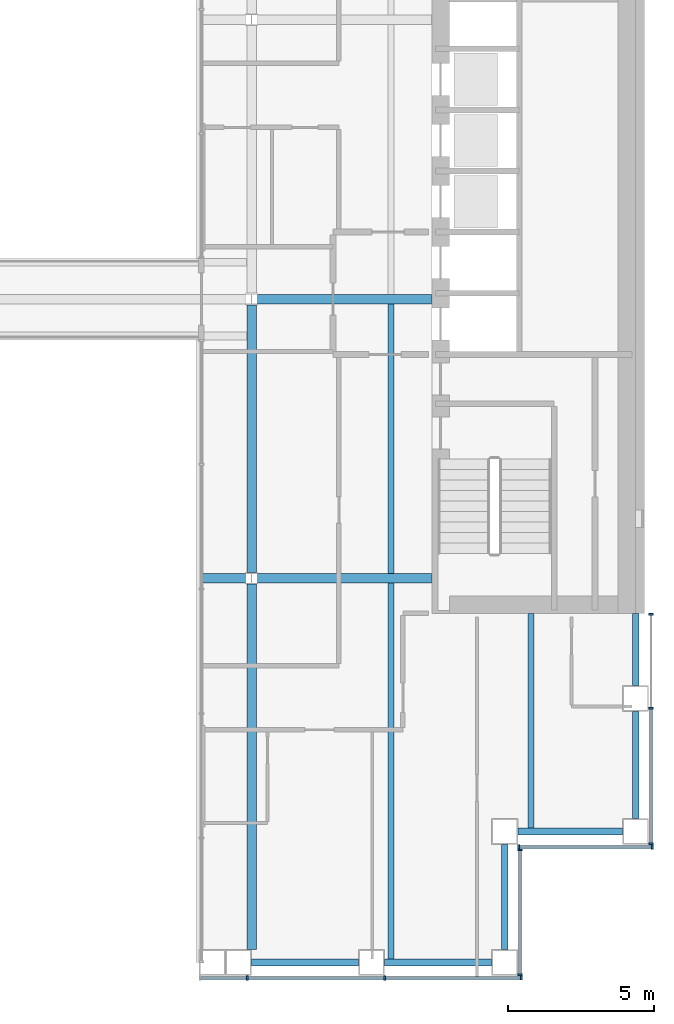
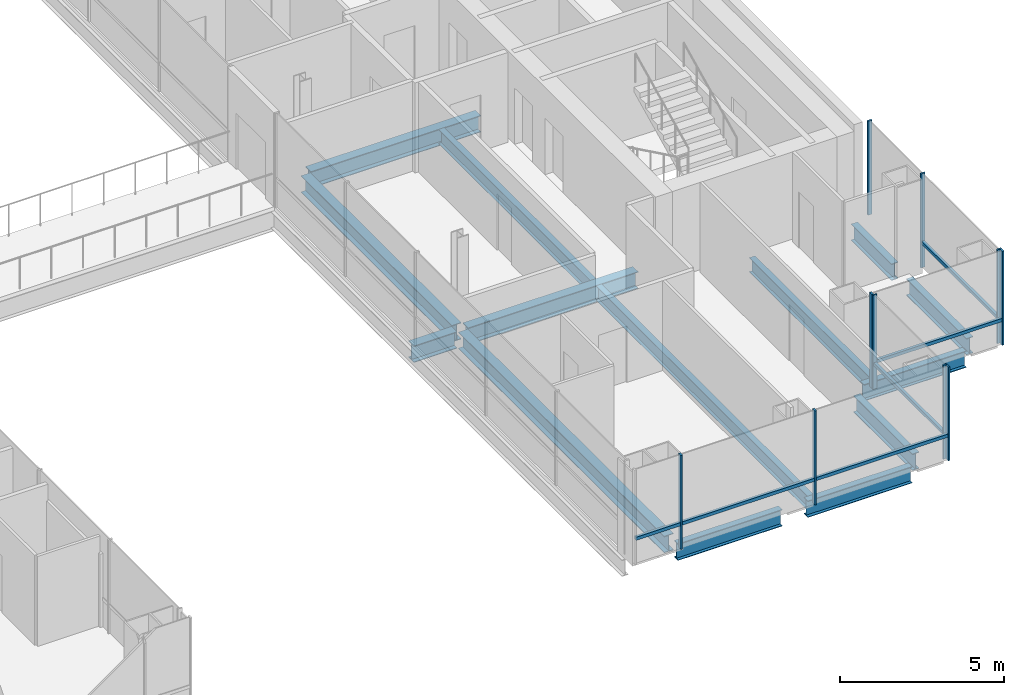
# One storey, part 5 of 16: 16 members, 14 beams, 4 elements without a shape of their own.
"""IFC4 building model written with IfcOpenShell, lengths in metres."""

from ifc_helpers import new_model, si_unit, direction, frame, origin, origin_2d, place, context, subcontext, project, spatial, rectangle, i_section, extrude, material, material_profile, profile_set, type_object, element, aggregate, save


model = new_model("IFC4")

# Units and contexts
model_context = context("Model", 3, precision=1e-05, world=origin(), true_north=direction((0.0, 1.0)))
body_context = subcontext(model_context, "Body", "Model", "MODEL_VIEW")
ifc_project = project(units=[si_unit("LENGTHUNIT", "METRE"), si_unit("AREAUNIT", "SQUARE_METRE"), si_unit("VOLUMEUNIT", "CUBIC_METRE"), si_unit("PLANEANGLEUNIT", "RADIAN"), si_unit("MASSUNIT", "GRAM", prefix="KILO")], contexts=[model_context])

# Site, building, storey
site_placement = place(None, origin())
site = spatial("IfcSite", under=ifc_project, at=site_placement, CompositionType="ELEMENT")
building_placement = place(site_placement, origin())
building = spatial("IfcBuilding", under=site, at=building_placement, Name="Cobrizo Arcos Hotel Tower", CompositionType="ELEMENT")
storey_placement = place(building_placement, frame((0.0, 0.0, 120.5)))
storey = spatial("IfcBuildingStorey", under=building, at=storey_placement, Name="L30", CompositionType="ELEMENT", Elevation=120.5)

# Curtain wall, members
ifc_material_1 = material(Name="Aluminium 6063-T6 anodised bronze", Category="aluminium")
curtain_wall_type = type_object("IfcCurtainWallType", Name="CW-A guest facade", PredefinedType="NOTDEFINED", material=ifc_material_1)
curtain_wall_1_placement = place(storey_placement, origin())
curtain_wall_1 = element("IfcCurtainWall", 1, at=curtain_wall_1_placement, inside=storey, type_object=curtain_wall_type, Name="CW-A L30 S face", PredefinedType="NOTDEFINED")
ifc_material_profile_1 = material_profile(ifc_material_1, rectangle(XDim=0.14990234375, YDim=0.06005859375, at=origin_2d()), Name="CW-A mullion 150x60")
ifc_profile_set_1 = profile_set([ifc_material_profile_1], Name="Aluminium 6063-T6 anodised bronze")
member_type_1 = type_object("IfcMemberType", Name="CW-A mullion 150x60", PredefinedType="MULLION", material=ifc_profile_set_1)
member_1_placement = place(storey_placement, frame((9.449951171875, -23.324951171875, 0.0), z_axis=(0.0, 0.0, 1.0), x_axis=(0.0, -1.0, 0.0)))
member_1 = element("IfcMember", 2, at=member_1_placement, type_object=member_type_1, Name="CW-A mullion 2", PredefinedType="MULLION", context=body_context, shape_type="SweptSolid", body=[
    extrude(rectangle(XDim=0.14990234375, YDim=0.06005859375, at=origin_2d()), origin(), (0.0, 0.0, 1.0), 3.5),
])
member_2_placement = place(storey_placement, frame((14.175048828125, -23.324951171875, 0.0), z_axis=(0.0, 0.0, 1.0), x_axis=(0.0, -1.0, 0.0)))
member_2 = element("IfcMember", 3, at=member_2_placement, type_object=member_type_1, Name="CW-A mullion 3", PredefinedType="MULLION", context=body_context, shape_type="SweptSolid", body=[
    extrude(rectangle(XDim=0.14990234375, YDim=0.06005859375, at=origin_2d()), origin(), (0.0, 0.0, 1.0), 3.5),
])
member_3_placement = place(storey_placement, frame((18.8701171875, -23.324951171875, 0.0), z_axis=(0.0, 0.0, 1.0), x_axis=(0.0, -1.0, 0.0)))
member_3 = element("IfcMember", 4, at=member_3_placement, type_object=member_type_1, Name="CW-A mullion 4", PredefinedType="MULLION", context=body_context, shape_type="SweptSolid", body=[
    extrude(rectangle(XDim=0.14990234375, YDim=0.06005859375, at=origin_2d()), origin(), (0.0, 0.0, 1.0), 3.5),
])

curtain_wall_2_placement = place(storey_placement, origin())
curtain_wall_2 = element("IfcCurtainWall", 5, at=curtain_wall_2_placement, inside=storey, type_object=curtain_wall_type, Name="CW-A L30 E face", PredefinedType="NOTDEFINED")
member_4_placement = place(storey_placement, frame((18.824951171875, -23.219970703125, 0.0), z_axis=(0.0, 0.0, 1.0), x_axis=(1.0, 0.0, 0.0)))
member_4 = element("IfcMember", 6, at=member_4_placement, type_object=member_type_1, Name="CW-A mullion 1", PredefinedType="MULLION", context=body_context, shape_type="SweptSolid", body=[
    extrude(rectangle(XDim=0.14990234375, YDim=0.06005859375, at=origin_2d()), origin(), (0.0, 0.0, 1.0), 3.5),
])
member_5_placement = place(storey_placement, frame((18.824951171875, -18.929931640625, 0.0), z_axis=(0.0, 0.0, 1.0), x_axis=(1.0, 0.0, 0.0)))
member_5 = element("IfcMember", 7, at=member_5_placement, type_object=member_type_1, Name="CW-A mullion 2", PredefinedType="MULLION", context=body_context, shape_type="SweptSolid", body=[
    extrude(rectangle(XDim=0.14990234375, YDim=0.06005859375, at=origin_2d()), origin(), (0.0, 0.0, 1.0), 3.5),
])

curtain_wall_3_placement = place(storey_placement, origin())
curtain_wall_3 = element("IfcCurtainWall", 8, at=curtain_wall_3_placement, inside=storey, type_object=curtain_wall_type, Name="CW-A L30 S face", PredefinedType="NOTDEFINED")
member_6_placement = place(storey_placement, frame((18.780029296875, -18.824951171875, 0.0), z_axis=(0.0, 0.0, 1.0), x_axis=(0.0, -1.0, 0.0)))
member_6 = element("IfcMember", 9, at=member_6_placement, type_object=member_type_1, Name="CW-A mullion 1", PredefinedType="MULLION", context=body_context, shape_type="SweptSolid", body=[
    extrude(rectangle(XDim=0.14990234375, YDim=0.06005859375, at=origin_2d()), origin(), (0.0, 0.0, 1.0), 3.5),
])
member_7_placement = place(storey_placement, frame((23.3701171875, -18.824951171875, 0.0), z_axis=(0.0, 0.0, 1.0), x_axis=(0.0, -1.0, 0.0)))
member_7 = element("IfcMember", 10, at=member_7_placement, type_object=member_type_1, Name="CW-A mullion 2", PredefinedType="MULLION", context=body_context, shape_type="SweptSolid", body=[
    extrude(rectangle(XDim=0.14990234375, YDim=0.06005859375, at=origin_2d()), origin(), (0.0, 0.0, 1.0), 3.5),
])

curtain_wall_4_placement = place(storey_placement, origin())
curtain_wall_4 = element("IfcCurtainWall", 11, at=curtain_wall_4_placement, inside=storey, type_object=curtain_wall_type, Name="CW-A L30 E face", PredefinedType="NOTDEFINED")
member_8_placement = place(storey_placement, frame((23.324951171875, -18.719970703125, 0.0), z_axis=(0.0, 0.0, 1.0), x_axis=(1.0, 0.0, 0.0)))
member_8 = element("IfcMember", 12, at=member_8_placement, type_object=member_type_1, Name="CW-A mullion 1", PredefinedType="MULLION", context=body_context, shape_type="SweptSolid", body=[
    extrude(rectangle(XDim=0.14990234375, YDim=0.06005859375, at=origin_2d()), origin(), (0.0, 0.0, 1.0), 3.5),
])
member_9_placement = place(storey_placement, frame((23.324951171875, -14.0625, 0.0), z_axis=(0.0, 0.0, 1.0), x_axis=(1.0, 0.0, 0.0)))
member_9 = element("IfcMember", 13, at=member_9_placement, type_object=member_type_1, Name="CW-A mullion 2", PredefinedType="MULLION", context=body_context, shape_type="SweptSolid", body=[
    extrude(rectangle(XDim=0.14990234375, YDim=0.06005859375, at=origin_2d()), origin(), (0.0, 0.0, 1.0), 3.5),
])
member_10_placement = place(storey_placement, frame((23.324951171875, -10.830078125, 0.0), z_axis=(0.0, 0.0, 1.0), x_axis=(1.0, 0.0, 0.0)))
member_10 = element("IfcMember", 14, at=member_10_placement, type_object=member_type_1, Name="CW-A mullion 3", PredefinedType="MULLION", context=body_context, shape_type="SweptSolid", body=[
    extrude(rectangle(XDim=0.14990234375, YDim=0.06005859375, at=origin_2d()), origin(), (0.0, 0.0, 1.0), 3.5),
])

# Member
ifc_material_profile_2 = material_profile(ifc_material_1, rectangle(XDim=0.10009765625, YDim=0.1201171875, at=origin_2d()), Name="CW-A transom 120x100")
ifc_profile_set_2 = profile_set([ifc_material_profile_2], Name="Aluminium 6063-T6 anodised bronze")
member_type_2 = type_object("IfcMemberType", Name="CW-A transom 120x100", PredefinedType="USERDEFINED", material=ifc_profile_set_2)
member_11_placement = place(storey_placement, frame((7.860107421875, -23.324951171875, 0.929931640625), z_axis=(1.0, 0.0, 0.0), x_axis=(0.0, 1.0, 0.0)))
member_11 = element("IfcMember", 15, at=member_11_placement, type_object=member_type_2, Name="CW-A transom 1138", ObjectType="TRANSOM", PredefinedType="USERDEFINED", context=body_context, shape_type="SweptSolid", body=[
    extrude(rectangle(XDim=0.10009765625, YDim=0.1201171875, at=origin_2d()), origin(), (0.0, 0.0, 1.0), 1.559814453125),
])

member_12_placement = place(storey_placement, frame((9.47998046875, -23.324951171875, 0.929931640625), z_axis=(1.0, 0.0, 0.0), x_axis=(0.0, 1.0, 0.0)))
member_12 = element("IfcMember", 16, at=member_12_placement, type_object=member_type_2, Name="CW-A transom 1139", ObjectType="TRANSOM", PredefinedType="USERDEFINED", context=body_context, shape_type="SweptSolid", body=[
    extrude(rectangle(XDim=0.10009765625, YDim=0.1201171875, at=origin_2d()), origin(), (0.0, 0.0, 1.0), 4.6650390625),
])

member_13_placement = place(storey_placement, frame((14.205078125, -23.324951171875, 0.929931640625), z_axis=(1.0, 0.0, 0.0), x_axis=(0.0, 1.0, 0.0)))
member_13 = element("IfcMember", 17, at=member_13_placement, type_object=member_type_2, Name="CW-A transom 1140", ObjectType="TRANSOM", PredefinedType="USERDEFINED", context=body_context, shape_type="SweptSolid", body=[
    extrude(rectangle(XDim=0.10009765625, YDim=0.1201171875, at=origin_2d()), origin(), (0.0, 0.0, 1.0), 4.635009765625),
])

aggregate(curtain_wall_1, [member_1, member_2, member_3, member_11, member_12, member_13])

member_14_placement = place(storey_placement, frame((18.824951171875, -23.18994140625, 0.929931640625), z_axis=(0.0, 1.0, 0.0), x_axis=(-1.0, 0.0, 0.0)))
member_14 = element("IfcMember", 18, at=member_14_placement, type_object=member_type_2, Name="CW-A transom 1141", ObjectType="TRANSOM", PredefinedType="USERDEFINED", context=body_context, shape_type="SweptSolid", body=[
    extrude(rectangle(XDim=0.10009765625, YDim=0.1201171875, at=origin_2d()), origin(), (0.0, 0.0, 1.0), 4.22998046875),
])

aggregate(curtain_wall_2, [member_4, member_5, member_14])

member_15_placement = place(storey_placement, frame((18.81005859375, -18.824951171875, 0.929931640625), z_axis=(1.0, 0.0, 0.0), x_axis=(0.0, 1.0, 0.0)))
member_15 = element("IfcMember", 19, at=member_15_placement, type_object=member_type_2, Name="CW-A transom 1142", ObjectType="TRANSOM", PredefinedType="USERDEFINED", context=body_context, shape_type="SweptSolid", body=[
    extrude(rectangle(XDim=0.10009765625, YDim=0.1201171875, at=origin_2d()), origin(), (0.0, 0.0, 1.0), 4.530029296875),
])

aggregate(curtain_wall_3, [member_6, member_7, member_15])

member_16_placement = place(storey_placement, frame((23.324951171875, -18.68994140625, 0.929931640625), z_axis=(0.0, 1.0, 0.0), x_axis=(-1.0, 0.0, 0.0)))
member_16 = element("IfcMember", 20, at=member_16_placement, type_object=member_type_2, Name="CW-A transom 1143", ObjectType="TRANSOM", PredefinedType="USERDEFINED", context=body_context, shape_type="SweptSolid", body=[
    extrude(rectangle(XDim=0.10009765625, YDim=0.1201171875, at=origin_2d()), origin(), (0.0, 0.0, 1.0), 4.597412109375),
])

aggregate(curtain_wall_4, [member_8, member_9, member_10, member_16])

# Beams
ifc_material_2 = material(Name="Steel ASTM A992 Grade 50", Category="steel")
ifc_material_profile_3 = material_profile(ifc_material_2, i_section(OverallWidth=0.209228515625, OverallDepth=0.533447265625, WebThickness=0.01025390625, FlangeThickness=0.015625, at=origin_2d()), Name="W21X62")
ifc_profile_set_3 = profile_set([ifc_material_profile_3], Name="Steel ASTM A992 Grade 50")
beam_type_1 = type_object("IfcBeamType", Name="W21X62 joist", PredefinedType="JOIST", material=ifc_profile_set_3)
beam_1_placement = place(storey_placement, frame((14.39990234375, -22.7099609375, -0.416748046875), z_axis=(0.0, 1.0, 0.0), x_axis=(-1.0, 0.0, 0.0)))
element("IfcBeam", 21, at=beam_1_placement, inside=storey, type_object=beam_type_1, Name="Floor joist J1, L30, no. 007", PredefinedType="JOIST", context=body_context, shape_type="SweptSolid", body=[
    extrude(i_section(OverallWidth=0.209228515625, OverallDepth=0.533447265625, WebThickness=0.01025390625, FlangeThickness=0.015625, at=origin_2d()), origin(), (0.0, 0.0, 1.0), 12.946044921875),
])
beam_2_placement = place(storey_placement, frame((14.39990234375, -9.43603515625, -0.416748046875), z_axis=(0.0, 1.0, 0.0), x_axis=(-1.0, 0.0, 0.0)))
element("IfcBeam", 22, at=beam_2_placement, inside=storey, type_object=beam_type_1, Name="Floor joist J1, L30, no. 008", PredefinedType="JOIST", context=body_context, shape_type="SweptSolid", body=[
    extrude(i_section(OverallWidth=0.209228515625, OverallDepth=0.533447265625, WebThickness=0.01025390625, FlangeThickness=0.015625, at=origin_2d()), origin(), (0.0, 0.0, 1.0), 9.272216796875),
])
beam_3_placement = place(storey_placement, frame((19.199951171875, -18.2099609375, -0.416748046875), z_axis=(0.0, 1.0, 0.0), x_axis=(-1.0, 0.0, 0.0)))
element("IfcBeam", 23, at=beam_3_placement, inside=storey, type_object=beam_type_1, Name="Floor joist J1, L30, no. 011", PredefinedType="JOIST", context=body_context, shape_type="SweptSolid", body=[
    extrude(i_section(OverallWidth=0.209228515625, OverallDepth=0.533447265625, WebThickness=0.01025390625, FlangeThickness=0.015625, at=origin_2d()), origin(), (0.0, 0.0, 1.0), 7.39990234375),
])
ifc_material_profile_4 = material_profile(ifc_material_2, i_section(OverallWidth=0.32763671875, OverallDepth=0.622314453125, WebThickness=0.015380859375, FlangeThickness=0.0244140625, at=origin_2d()), Name="W24X131")
ifc_profile_set_4 = profile_set([ifc_material_profile_4], Name="Steel ASTM A992 Grade 50")
beam_type_2 = type_object("IfcBeamType", Name="W24X131 girder", PredefinedType="BEAM", material=ifc_profile_set_4)
beam_4_placement = place(storey_placement, frame((7.889892578125, -9.60009765625, -0.461181640625), z_axis=(1.0, 0.0, 0.0), x_axis=(0.0, 1.0, 0.0)))
element("IfcBeam", 24, at=beam_4_placement, inside=storey, type_object=beam_type_2, Name="Floor girder G1, L30, no. 003", PredefinedType="BEAM", context=body_context, shape_type="SweptSolid", body=[
    extrude(i_section(OverallWidth=0.32763671875, OverallDepth=0.622314453125, WebThickness=0.015380859375, FlangeThickness=0.0244140625, at=origin_2d()), origin(), (0.0, 0.0, 1.0), 1.5107421875),
])
for number, where, z_axis, x_axis, name in (
    (25, (9.79931640625, -9.60009765625, -0.461181640625), (1.0, 0.0, 0.0), (0.0, 1.0, 0.0), "Floor girder G1, L30, no. 004"),
    (26, (9.79931640625, 0.0, -0.461181640625), (1.0, 0.0, 0.0), (0.0, 1.0, 0.0), "Floor girder G1, L30, no. 007"),
):
    element("IfcBeam", number, at=place(storey_placement, frame(where, z_axis=z_axis, x_axis=x_axis)), inside=storey, type_object=beam_type_2, Name=name, PredefinedType="BEAM", context=body_context, shape_type="SweptSolid", body=[
        extrude(i_section(OverallWidth=0.32763671875, OverallDepth=0.622314453125, WebThickness=0.015380859375, FlangeThickness=0.0244140625, at=origin_2d()), origin(), (0.0, 0.0, 1.0), 5.99072265625),
    ])
beam_5_placement = place(storey_placement, frame((9.60009765625, -22.35009765625, -0.461181640625), z_axis=(0.0, 1.0, 0.0), x_axis=(-1.0, 0.0, 0.0)))
element("IfcBeam", 27, at=beam_5_placement, inside=storey, type_object=beam_type_2, Name="Floor girder G1, L30, no. 016", PredefinedType="BEAM", context=body_context, shape_type="SweptSolid", body=[
    extrude(i_section(OverallWidth=0.32763671875, OverallDepth=0.622314453125, WebThickness=0.015380859375, FlangeThickness=0.0244140625, at=origin_2d()), origin(), (0.0, 0.0, 1.0), 12.55078125),
])
beam_6_placement = place(storey_placement, frame((9.60009765625, -9.400634765625, -0.461181640625), z_axis=(0.0, 1.0, 0.0), x_axis=(-1.0, 0.0, 0.0)))
element("IfcBeam", 28, at=beam_6_placement, inside=storey, type_object=beam_type_2, Name="Floor girder G1, L30, no. 017", PredefinedType="BEAM", context=body_context, shape_type="SweptSolid", body=[
    extrude(i_section(OverallWidth=0.32763671875, OverallDepth=0.622314453125, WebThickness=0.015380859375, FlangeThickness=0.0244140625, at=origin_2d()), origin(), (0.0, 0.0, 1.0), 9.201171875),
])
ifc_material_profile_5 = material_profile(ifc_material_2, i_section(OverallWidth=0.23046875, OverallDepth=0.6171875, WebThickness=0.01318359375, FlangeThickness=0.022216796875, at=origin_2d()), Name="W24X94")
ifc_profile_set_5 = profile_set([ifc_material_profile_5], Name="Steel ASTM A992 Grade 50")
beam_type_3 = type_object("IfcBeamType", Name="W24X94 spandrel", PredefinedType="SPANDREL", material=ifc_profile_set_5)
beam_7_placement = place(storey_placement, frame((22.800048828125, -10.81005859375, -0.45849609375), z_axis=(0.0, -1.0, 0.0), x_axis=(1.0, 0.0, 0.0)))
element("IfcBeam", 29, at=beam_7_placement, inside=storey, type_object=beam_type_3, Name="Spandrel beam W24X94, L30, no. 004", PredefinedType="SPANDREL", context=body_context, shape_type="SweptSolid", body=[
    extrude(i_section(OverallWidth=0.23046875, OverallDepth=0.6171875, WebThickness=0.01318359375, FlangeThickness=0.022216796875, at=origin_2d()), origin(), (0.0, 0.0, 1.0), 2.46484375),
])
beam_8_placement = place(storey_placement, frame((22.800048828125, -14.175048828125, -0.45849609375), z_axis=(0.0, -1.0, 0.0), x_axis=(1.0, 0.0, 0.0)))
element("IfcBeam", 30, at=beam_8_placement, inside=storey, type_object=beam_type_3, Name="Spandrel beam W24X94, L30, no. 005", PredefinedType="SPANDREL", context=body_context, shape_type="SweptSolid", body=[
    extrude(i_section(OverallWidth=0.23046875, OverallDepth=0.6171875, WebThickness=0.01318359375, FlangeThickness=0.022216796875, at=origin_2d()), origin(), (0.0, 0.0, 1.0), 3.675048828125),
])
for number, where, z_axis, x_axis, name in (
    (31, (22.35009765625, -18.300048828125, -0.45849609375), (-1.0, 0.0, 0.0), (0.0, -1.0, 0.0), "Spandrel beam W24X94, L30, no. 006"),
    (32, (18.300048828125, -18.75, -0.45849609375), (0.0, -1.0, 0.0), (1.0, 0.0, 0.0), "Spandrel beam W24X94, L30, no. 007"),
):
    element("IfcBeam", number, at=place(storey_placement, frame(where, z_axis=z_axis, x_axis=x_axis)), inside=storey, type_object=beam_type_3, Name=name, PredefinedType="SPANDREL", context=body_context, shape_type="SweptSolid", body=[
        extrude(i_section(OverallWidth=0.23046875, OverallDepth=0.6171875, WebThickness=0.01318359375, FlangeThickness=0.022216796875, at=origin_2d()), origin(), (0.0, 0.0, 1.0), 3.60009765625),
    ])
beam_9_placement = place(storey_placement, frame((17.85009765625, -22.800048828125, -0.45849609375), z_axis=(-1.0, 0.0, 0.0), x_axis=(0.0, -1.0, 0.0)))
element("IfcBeam", 33, at=beam_9_placement, inside=storey, type_object=beam_type_3, Name="Spandrel beam W24X94, L30, no. 008", PredefinedType="SPANDREL", context=body_context, shape_type="SweptSolid", body=[
    extrude(i_section(OverallWidth=0.23046875, OverallDepth=0.6171875, WebThickness=0.01318359375, FlangeThickness=0.022216796875, at=origin_2d()), origin(), (0.0, 0.0, 1.0), 3.675048828125),
])
beam_10_placement = place(storey_placement, frame((13.27490234375, -22.800048828125, -0.45849609375), z_axis=(-1.0, 0.0, 0.0), x_axis=(0.0, -1.0, 0.0)))
element("IfcBeam", 34, at=beam_10_placement, inside=storey, type_object=beam_type_3, Name="Spandrel beam W24X94, L30, no. 009", PredefinedType="SPANDREL", context=body_context, shape_type="SweptSolid", body=[
    extrude(i_section(OverallWidth=0.23046875, OverallDepth=0.6171875, WebThickness=0.01318359375, FlangeThickness=0.022216796875, at=origin_2d()), origin(), (0.0, 0.0, 1.0), 3.6748046875),
])

save(model, "model.ifc")
